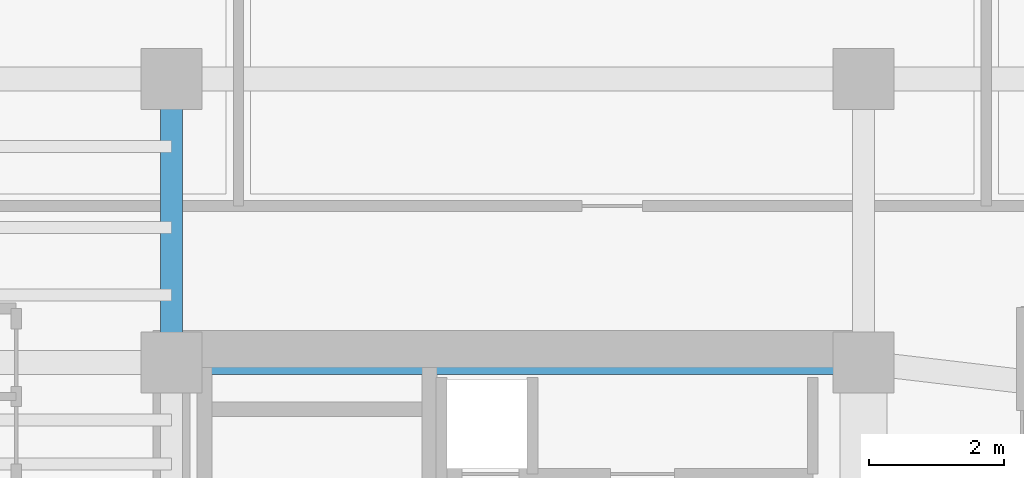
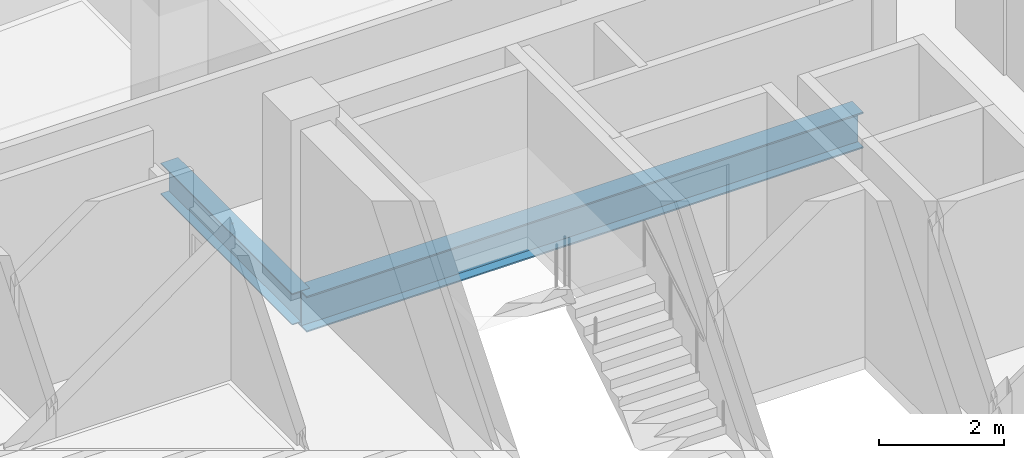
# One storey, part 9 of 21: 2 beams.
"""IFC4 building model written with IfcOpenShell, lengths in metres."""

from ifc_helpers import new_model, si_unit, direction, frame, origin, origin_2d, place, context, subcontext, project, spatial, i_section, extrude, source, transform, mapped, material, material_profile, profile_set, type_object, element, save


model = new_model("IFC4")

# Units and contexts
model_context = context("Model", 3, precision=1e-05, world=origin(), true_north=direction((0.0, 1.0)))
body_context = subcontext(model_context, "Body", "Model", "MODEL_VIEW")
ifc_project = project(units=[si_unit("LENGTHUNIT", "METRE"), si_unit("AREAUNIT", "SQUARE_METRE"), si_unit("VOLUMEUNIT", "CUBIC_METRE"), si_unit("PLANEANGLEUNIT", "RADIAN"), si_unit("MASSUNIT", "GRAM", prefix="KILO")], contexts=[model_context])

# Site, building, storey
site_placement = place(None, origin())
site = spatial("IfcSite", under=ifc_project, at=site_placement, CompositionType="ELEMENT")
building_placement = place(site_placement, origin())
building = spatial("IfcBuilding", under=site, at=building_placement, Name="Valdorenza Pilgrim Sanctuary Tower", CompositionType="ELEMENT")
storey_placement = place(building_placement, frame((0.0, 0.0, 219.5)))
storey = spatial("IfcBuildingStorey", under=building, at=storey_placement, Name="L56", CompositionType="ELEMENT", Elevation=219.5)

# Beams
ifc_material = material(Name="Steel ASTM A992 Grade 50", Category="steel")
ifc_material_profile_1 = material_profile(ifc_material, i_section(OverallWidth=0.323974609375, OverallDepth=0.611083984375, WebThickness=0.0126953125, FlangeThickness=0.01904296875, at=origin_2d()), Name="W24X104")
ifc_profile_set_1 = profile_set([ifc_material_profile_1], Name="Steel ASTM A992 Grade 50")
beam_type_1 = type_object("IfcBeamType", Name="STR-BM-GRD-W24B", PredefinedType="BEAM", material=ifc_profile_set_1)
shared_shape_1 = source(origin(), body_context, "Body", "SweptSolid", [
    extrude(i_section(OverallWidth=0.323974609375, OverallDepth=0.611083984375, WebThickness=0.0126953125, FlangeThickness=0.01904296875, at=origin_2d()), origin(), (0.0, 0.0, 1.0), 4.199951171875),
])
beam_1_placement = place(storey_placement, frame((-22.64990234375, 10.60009765625, -0.54541015625), z_axis=(0.0, 1.0, 0.0), x_axis=(-1.0, 0.0, 0.0)))
element("IfcBeam", 1, at=beam_1_placement, inside=storey, type_object=beam_type_1, Name="L56 Core Tie Girder CA-W-N1N2", PredefinedType="BEAM", context=body_context, shape_type="MappedRepresentation", body=[
    mapped(shared_shape_1, transform((0.0, 0.0, 0.0), x_axis=(1.0, 0.0, 0.0), y_axis=(0.0, 1.0, 0.0), z_axis=(0.0, 0.0, 1.0), scale=1.0)),
])
ifc_material_profile_2 = material_profile(ifc_material, i_section(OverallWidth=0.35595703125, OverallDepth=0.700927734375, WebThickness=0.016845703125, FlangeThickness=0.02734375, at=origin_2d()), Name="W27X161")
ifc_profile_set_2 = profile_set([ifc_material_profile_2], Name="Steel ASTM A992 Grade 50")
beam_type_2 = type_object("IfcBeamType", Name="STR-BM-GRD-W27", PredefinedType="BEAM", material=ifc_profile_set_2)
shared_shape_2 = source(origin(), body_context, "Body", "SweptSolid", [
    extrude(i_section(OverallWidth=0.35595703125, OverallDepth=0.700927734375, WebThickness=0.016845703125, FlangeThickness=0.02734375, at=origin_2d()), origin(), (0.0, 0.0, 1.0), 10.25),
])
beam_2_placement = place(storey_placement, frame((-22.64990234375, 10.60009765625, -0.590576171875), z_axis=(1.0, 0.0, 0.0), x_axis=(0.0, 1.0, 0.0)))
element("IfcBeam", 2, at=beam_2_placement, inside=storey, type_object=beam_type_2, Name="L56 Floor Girder CA-XC-N1", PredefinedType="BEAM", context=body_context, shape_type="MappedRepresentation", body=[
    mapped(shared_shape_2, transform((0.0, 0.0, 0.0), x_axis=(1.0, 0.0, 0.0), y_axis=(0.0, 1.0, 0.0), z_axis=(0.0, 0.0, 1.0), scale=1.0)),
])

save(model, "model.ifc")
